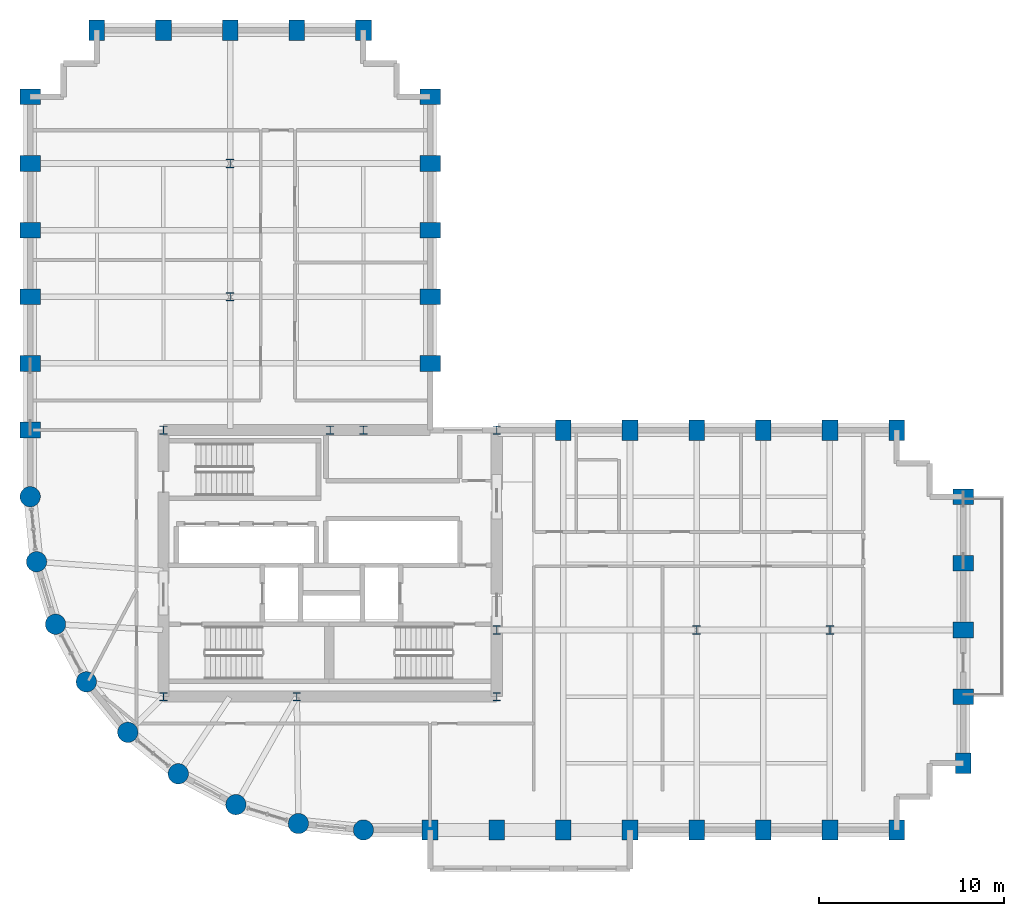
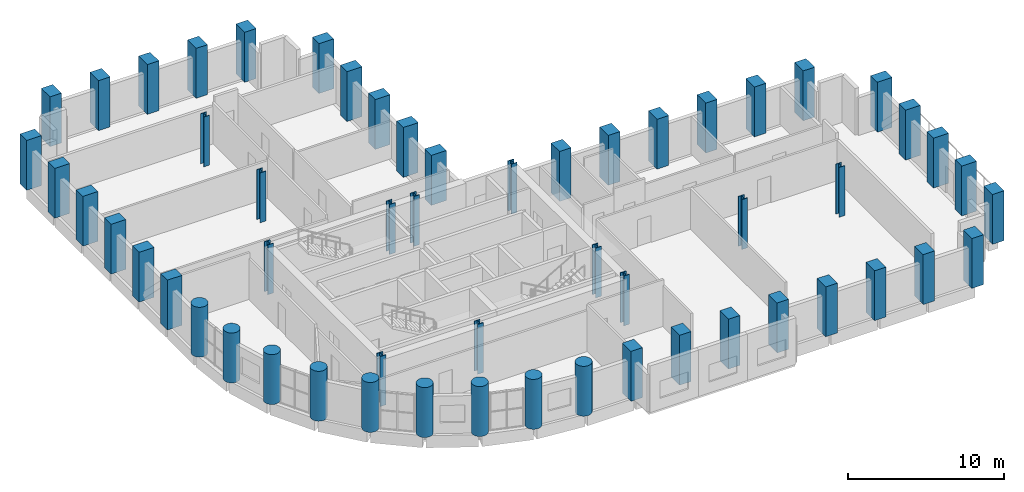
# One storey, part 1 of 11: 56 columns.
"""IFC4 building model written with IfcOpenShell, lengths in metres."""

import ifcopenshell
import ifcopenshell.guid

model = None  # the IFC model being written
_history = None  # IfcOwnerHistory: only IFC2X3 demands one
_inside = {}  # id of a spatial element -> (the spatial element, [elements in it])
_under = {}  # id of a project, library or spatial element -> (it, [spatial elements below it])
_declared = {}  # id of a project -> (the project, [libraries it declares])
_typed = {}  # id of a type object -> (the type object, [elements of that type])
_made_of = {}  # id of a material, layer set ... -> (it, [elements and type objects made of it])


def new_model(schema):
    """Start an empty IFC model of exactly this schema.

    Asked for "IFC4X3", IfcOpenShell would pick the latest addendum, in which some entities
    have other attributes; the version numbers below select the first issue.
    IFC2X3 requires an IfcOwnerHistory on every rooted entity: one is made here for all.
    """
    global model, _history
    if schema == "IFC4X3":
        model = ifcopenshell.file(schema_version=(4, 3, 0, 0))
    else:
        model = ifcopenshell.file(schema=schema)
    _inside.clear()
    _under.clear()
    _declared.clear()
    _typed.clear()
    _made_of.clear()
    _history = None
    if model.schema == "IFC2X3":
        org = make("IfcOrganization", Name="unknown")
        user = make(
            "IfcPersonAndOrganization",
            ThePerson=make("IfcPerson", FamilyName="unknown"),
            TheOrganization=org,
        )
        app = make(
            "IfcApplication",
            ApplicationDeveloper=org,
            Version="unknown",
            ApplicationFullName="unknown",
            ApplicationIdentifier="unknown",
        )
        _history = make(
            "IfcOwnerHistory",
            OwningUser=user,
            OwningApplication=app,
            ChangeAction="ADDED",
            CreationDate=0,
        )
    return model


def make(cls, **values):
    """One entity of the class cls with the attributes given. An attribute that is None is left unset."""
    return model.create_entity(
        cls, **{name: value for name, value in values.items() if value is not None}
    )


def rooted(cls, **values):
    """An entity with a GlobalId (a new one), such as an element, a storey or a relation."""
    return make(cls, GlobalId=ifcopenshell.guid.new(), OwnerHistory=_history, **values)


def si_unit(unit_type, name, prefix=None):
    """IfcSIUnit, for example si_unit("LENGTHUNIT", "METRE", prefix="MILLI")."""
    return make("IfcSIUnit", UnitType=unit_type, Prefix=prefix, Name=name)


def assignment(units):
    """IfcUnitAssignment: the units of a project."""
    return None if units is None else make("IfcUnitAssignment", Units=units)


def point(xyz):
    """IfcCartesianPoint."""
    return None if xyz is None else make("IfcCartesianPoint", Coordinates=xyz)


def direction(xyz):
    """IfcDirection."""
    return None if xyz is None else make("IfcDirection", DirectionRatios=xyz)


def frame(location, z_axis=None, x_axis=None):
    """IfcAxis2Placement3D, a coordinate frame: its origin and axes. An axis left out is left unset."""
    return make(
        "IfcAxis2Placement3D",
        Location=point(location),
        Axis=direction(z_axis),
        RefDirection=direction(x_axis),
    )


def frame_2d(location, x_axis=None):
    """IfcAxis2Placement2D, a coordinate frame in the plane: its origin and x axis."""
    return make(
        "IfcAxis2Placement2D", Location=point(location), RefDirection=direction(x_axis)
    )


def origin():
    """The frame at (0, 0, 0) with its axes left unset."""
    return frame((0.0, 0.0, 0.0))


def origin_2d():
    """The frame at (0, 0) in the plane with its x axis left unset."""
    return frame_2d((0.0, 0.0))


def place(relative_to, where):
    """IfcLocalPlacement: puts the frame where relative to a parent placement (None: the world)."""
    return make(
        "IfcLocalPlacement", PlacementRelTo=relative_to, RelativePlacement=where
    )


def context(
    kind, dimensions, precision=None, world=None, true_north=None, identifier=None
):
    """IfcGeometricRepresentationContext, for example the 3D "Model" context."""
    return make(
        "IfcGeometricRepresentationContext",
        ContextIdentifier=identifier,
        ContextType=kind,
        CoordinateSpaceDimension=dimensions,
        Precision=precision,
        WorldCoordinateSystem=world,
        TrueNorth=true_north,
    )


def subcontext(parent, identifier, kind, view, scale=None):
    """IfcGeometricRepresentationSubContext, for example "Body" below "Model"."""
    return make(
        "IfcGeometricRepresentationSubContext",
        ContextIdentifier=identifier,
        ContextType=kind,
        ParentContext=parent,
        TargetScale=scale,
        TargetView=view,
    )


def project(units=None, contexts=None):
    """IfcProject with its units and contexts."""
    return rooted(
        "IfcProject",
        Name="project",
        RepresentationContexts=contexts,
        UnitsInContext=assignment(units),
    )


def spatial(cls, under=None, at=None, **own):
    """A site, building, storey or space (cls), placed at a placement, below another one or the project."""
    s = rooted(cls, ObjectPlacement=at, **own)
    if under is not None:
        _under.setdefault(under.id(), (under, []))[1].append(s)
    return s


def profile(cls, at=None, kind="AREA", **sizes):
    """A parametric profile (cls). Its sizes go by their IFC names, for example OverallWidth=200.0."""
    return make(cls, ProfileType=kind, Position=at, **sizes)


def rectangle(**sizes):
    """IfcRectangleProfileDef."""
    return profile("IfcRectangleProfileDef", **sizes)


def circle(**sizes):
    """IfcCircleProfileDef."""
    return profile("IfcCircleProfileDef", **sizes)


def i_section(**sizes):
    """IfcIShapeProfileDef."""
    return profile("IfcIShapeProfileDef", **sizes)


def extrude(swept, where, along, depth):
    """IfcExtrudedAreaSolid: the profile swept, set in the frame where, extruded along a direction by depth."""
    return make(
        "IfcExtrudedAreaSolid",
        SweptArea=swept,
        Position=where,
        ExtrudedDirection=direction(along),
        Depth=depth,
    )


def shape(context_of_items, identifier, shape_type, items):
    """IfcShapeRepresentation: the items that make up one representation, for example the "Body"."""
    return make(
        "IfcShapeRepresentation",
        ContextOfItems=context_of_items,
        RepresentationIdentifier=identifier,
        RepresentationType=shape_type,
        Items=items,
    )


def material(Name=None, Category=None):
    """IfcMaterial."""
    return make("IfcMaterial", Name=Name, Category=Category)


def material_profile(
    of_material, cross_section, Name=None, Category=None, Priority=None
):
    """IfcMaterialProfile: a cross section and its material."""
    return make(
        "IfcMaterialProfile",
        Name=Name,
        Material=of_material,
        Profile=cross_section,
        Priority=Priority,
        Category=Category,
    )


def profile_set(profiles, Name=None, composite=None):
    """IfcMaterialProfileSet."""
    return make(
        "IfcMaterialProfileSet",
        Name=Name,
        MaterialProfiles=profiles,
        CompositeProfile=composite,
    )


def made_of(thing, what):
    """Note that an element or type object is made of a material, layer set ...; save() writes the relation."""
    if what is not None:
        _made_of.setdefault(what.id(), (what, []))[1].append(thing)
    return thing


def type_object(cls, material=None, **own):
    """A type object (cls), such as IfcWallType, which elements share."""
    return made_of(rooted(cls, **own), material)


def element(
    cls,
    number,
    at=None,
    inside=None,
    cuts=None,
    type_object=None,
    material=None,
    context=None,
    identifier="Body",
    shape_type=None,
    held_by="IfcProductDefinitionShape",
    body=None,
    shapes=None,
    **own,
):
    """One element of the class cls, such as IfcWall. Its Tag is "e" and its number.

    at: its placement. inside: the storey or other place that contains it. cuts: it is an
    opening in that element (IfcRelVoidsElement). A single representation is given by context,
    identifier, shape_type and body (its items); several are given by shapes. held_by: the class
    of the entity that holds the representations. save() writes the other relations.
    """
    e = rooted(cls, Tag="e%d" % number, ObjectPlacement=at, **own)
    if body is not None:
        shapes = [shape(context, identifier, shape_type, body)]
    if shapes is not None:
        e.Representation = make(held_by, Representations=shapes)
    if inside is not None:
        _inside.setdefault(inside.id(), (inside, []))[1].append(e)
    if cuts is not None:
        rooted(
            "IfcRelVoidsElement", RelatingBuildingElement=cuts, RelatedOpeningElement=e
        )
    if type_object is not None:
        _typed.setdefault(type_object.id(), (type_object, []))[1].append(e)
    return made_of(e, material)


def aggregate(whole, parts):
    """IfcRelAggregates: a whole, such as a stair, and the parts it consists of."""
    return rooted("IfcRelAggregates", RelatingObject=whole, RelatedObjects=parts)


def save(model, path):
    """Write the relations noted so far, then the file.

    IfcRelAggregates (storeys below a building ...), IfcRelContainedInSpatialStructure (elements
    in a storey), IfcRelDefinesByType, IfcRelAssociatesMaterial and IfcRelDeclares: one each for
    every whole, place, type object, material and project.
    """
    for whole, parts in _under.values():
        aggregate(whole, parts)
    for where, things in _inside.values():
        rooted(
            "IfcRelContainedInSpatialStructure",
            RelatedElements=things,
            RelatingStructure=where,
        )
    for kind, things in _typed.values():
        rooted("IfcRelDefinesByType", RelatedObjects=things, RelatingType=kind)
    for what, things in _made_of.values():
        rooted("IfcRelAssociatesMaterial", RelatedObjects=things, RelatingMaterial=what)
    for by, libraries in _declared.values():
        rooted("IfcRelDeclares", RelatingContext=by, RelatedDefinitions=libraries)
    model.write(path)


model = new_model("IFC4")

# Units and contexts
model_context = context("Model", 3, precision=1e-05, world=origin(), true_north=direction((0.0, 1.0)))
body_context = subcontext(model_context, "Body", "Model", "MODEL_VIEW")
ifc_project = project(units=[si_unit("LENGTHUNIT", "METRE"), si_unit("AREAUNIT", "SQUARE_METRE"), si_unit("VOLUMEUNIT", "CUBIC_METRE"), si_unit("PLANEANGLEUNIT", "RADIAN"), si_unit("MASSUNIT", "GRAM", prefix="KILO")], contexts=[model_context])

# Site, building, storey
site_placement = place(None, origin())
site = spatial("IfcSite", under=ifc_project, at=site_placement, CompositionType="ELEMENT")
building_placement = place(site_placement, origin())
building = spatial("IfcBuilding", under=site, at=building_placement, Name="Solnavia Interchange Tower", CompositionType="ELEMENT")
storey_placement = place(building_placement, frame((0.0, 0.0, 99.60009765625)))
storey = spatial("IfcBuildingStorey", under=building, at=storey_placement, Name="L24", CompositionType="ELEMENT", Elevation=99.60009765625)

# Columns
ifc_material_1 = material(Name="Concrete C50/60", Category="concrete")
ifc_material_profile_1 = material_profile(ifc_material_1, rectangle(XDim=0.85009765625, YDim=1.10009765625, at=origin_2d()), Name="RC 1100x850")
ifc_profile_set_1 = profile_set([ifc_material_profile_1], Name="Concrete C50/60")
column_type_1 = type_object("IfcColumnType", Name="Col-RC-1100x850", PredefinedType="COLUMN", material=ifc_profile_set_1)
for number, where, z_axis, x_axis, name in (
    (1, (7.199951171875, 25.199951171875, 0.0), (0.0, 0.0, 1.0), (0.0, 1.0, 0.0), "COL-L24-02 Tower perim y column"),
    (2, (7.199951171875, 28.800048828125, 0.0), (0.0, 0.0, 1.0), (0.0, 1.0, 0.0), "COL-L24-03 Tower perim y column"),
    (3, (7.199951171875, 32.39990234375, 0.0), (0.0, 0.0, 1.0), (0.0, 1.0, 0.0), "COL-L24-04 Tower perim y column"),
    (4, (7.199951171875, 36.0, 0.0), (0.0, 0.0, 1.0), (0.0, 1.0, 0.0), "COL-L24-05 Tower perim y column"),
    (5, (7.199951171875, 39.60009765625, 0.0), (0.0, 0.0, 1.0), (0.0, 1.0, 0.0), "COL-L24-06 Tower perim y column"),
    (6, (7.199951171875, 43.199951171875, 0.0), (0.0, 0.0, 1.0), (0.0, 1.0, 0.0), "COL-L24-07 Tower corner column"),
    (7, (10.800048828125, 46.800048828125, 0.0), (0.0, 0.0, 1.0), (1.0, 0.0, 0.0), "COL-L24-11 Tower corner column"),
    (8, (14.39990234375, 46.800048828125, 0.0), (0.0, 0.0, 1.0), (1.0, 0.0, 0.0), "COL-L24-15 Tower perim x column"),
    (9, (18.0, 46.800048828125, 0.0), (0.0, 0.0, 1.0), (1.0, 0.0, 0.0), "COL-L24-19 Tower perim x column"),
    (10, (21.60009765625, 46.800048828125, 0.0), (0.0, 0.0, 1.0), (1.0, 0.0, 0.0), "COL-L24-22 Tower perim x column"),
    (11, (25.199951171875, 46.800048828125, 0.0), (0.0, 0.0, 1.0), (1.0, 0.0, 0.0), "COL-L24-27 Tower corner column"),
    (12, (28.800048828125, 3.60009765625, 0.0), (0.0, 0.0, 1.0), (1.0, 0.0, 0.0), "COL-L24-28 Tower perim x column"),
    (13, (28.800048828125, 28.800048828125, 0.0), (0.0, 0.0, 1.0), (0.0, 1.0, 0.0), "COL-L24-29 Tower perim y column"),
    (14, (28.800048828125, 32.39990234375, 0.0), (0.0, 0.0, 1.0), (0.0, 1.0, 0.0), "COL-L24-30 Tower perim y column"),
    (15, (28.800048828125, 36.0, 0.0), (0.0, 0.0, 1.0), (0.0, 1.0, 0.0), "COL-L24-31 Tower perim y column"),
    (16, (28.800048828125, 39.60009765625, 0.0), (0.0, 0.0, 1.0), (0.0, 1.0, 0.0), "COL-L24-32 Tower perim y column"),
    (17, (28.800048828125, 43.199951171875, 0.0), (0.0, 0.0, 1.0), (0.0, 1.0, 0.0), "COL-L24-33 Tower corner column"),
    (18, (32.39990234375, 3.60009765625, 0.0), (0.0, 0.0, 1.0), (1.0, 0.0, 0.0), "COL-L24-34 Tower perim x column"),
    (19, (36.0, 3.60009765625, 0.0), (0.0, 0.0, 1.0), (1.0, 0.0, 0.0), "COL-L24-38 Tower perim x column"),
    (20, (36.0, 25.199951171875, 0.0), (0.0, 0.0, 1.0), (1.0, 0.0, 0.0), "COL-L24-39 Tower perim x column"),
    (21, (39.60009765625, 3.60009765625, 0.0), (0.0, 0.0, 1.0), (1.0, 0.0, 0.0), "COL-L24-40 Tower perim x column"),
    (22, (39.60009765625, 25.199951171875, 0.0), (0.0, 0.0, 1.0), (1.0, 0.0, 0.0), "COL-L24-41 Tower perim x column"),
    (23, (43.199951171875, 3.60009765625, 0.0), (0.0, 0.0, 1.0), (1.0, 0.0, 0.0), "COL-L24-42 Tower perim x column"),
    (24, (43.199951171875, 25.199951171875, 0.0), (0.0, 0.0, 1.0), (1.0, 0.0, 0.0), "COL-L24-44 Tower perim x column"),
    (25, (46.800048828125, 3.60009765625, 0.0), (0.0, 0.0, 1.0), (1.0, 0.0, 0.0), "COL-L24-45 Tower perim x column"),
    (26, (46.800048828125, 25.199951171875, 0.0), (0.0, 0.0, 1.0), (1.0, 0.0, 0.0), "COL-L24-46 Tower perim x column"),
    (27, (50.39990234375, 3.60009765625, 0.0), (0.0, 0.0, 1.0), (1.0, 0.0, 0.0), "COL-L24-47 Tower perim x column"),
    (28, (50.39990234375, 25.199951171875, 0.0), (0.0, 0.0, 1.0), (1.0, 0.0, 0.0), "COL-L24-49 Tower perim x column"),
    (29, (54.0, 3.60009765625, 0.0), (0.0, 0.0, 1.0), (1.0, 0.0, 0.0), "COL-L24-50 Tower corner column"),
    (30, (54.0, 25.199951171875, 0.0), (0.0, 0.0, 1.0), (1.0, 0.0, 0.0), "COL-L24-51 Tower corner column"),
    (31, (57.60009765625, 7.199951171875, 0.0), (0.0, 0.0, 1.0), (1.0, 0.0, 0.0), "COL-L24-52 Tower corner column"),
    (32, (57.60009765625, 10.800048828125, 0.0), (0.0, 0.0, 1.0), (0.0, 1.0, 0.0), "COL-L24-53 Tower perim y column"),
    (33, (57.60009765625, 14.39990234375, 0.0), (0.0, 0.0, 1.0), (0.0, 1.0, 0.0), "COL-L24-54 Tower perim y column"),
    (34, (57.60009765625, 18.0, 0.0), (0.0, 0.0, 1.0), (0.0, 1.0, 0.0), "COL-L24-55 Tower perim y column"),
    (35, (57.60009765625, 21.60009765625, 0.0), (0.0, 0.0, 1.0), (0.0, 1.0, 0.0), "COL-L24-56 Tower corner column"),
):
    element("IfcColumn", number, at=place(storey_placement, frame(where, z_axis=z_axis, x_axis=x_axis)), inside=storey, type_object=column_type_1, Name=name, PredefinedType="COLUMN", context=body_context, shape_type="SweptSolid", body=[
        extrude(rectangle(XDim=0.85009765625, YDim=1.10009765625, at=origin_2d()), origin(), (0.0, 0.0, 1.0), 3.89990234375),
    ])
ifc_material_2 = material(Name="Concrete C60/75", Category="concrete")
ifc_material_profile_2 = material_profile(ifc_material_2, circle(Radius=0.550048828125, at=origin_2d()), Name="RC D1100")
ifc_profile_set_2 = profile_set([ifc_material_profile_2], Name="Concrete C60/75")
column_type_2 = type_object("IfcColumnType", Name="Col-RC-D1100", PredefinedType="COLUMN", material=ifc_profile_set_2)
for number, where, z_axis, x_axis, name in (
    (36, (7.199951171875, 21.60009765625, 0.0), (0.0, 0.0, 1.0), (1.0, 0.0, 0.0), "COL-L24-01 Tower drum column"),
    (37, (7.5458984375, 18.087890625, 0.0), (0.0, 0.0, 1.0), (1.0, 0.0, 0.0), "COL-L24-08 Tower drum column"),
    (38, (8.570068359375, 14.7119140625, 0.0), (0.0, 0.0, 1.0), (1.0, 0.0, 0.0), "COL-L24-09 Tower drum column"),
    (39, (10.23388671875, 11.60009765625, 0.0), (0.0, 0.0, 1.0), (1.0, 0.0, 0.0), "COL-L24-10 Tower drum column"),
    (40, (12.471923828125, 8.8720703125, 0.0), (0.0, 0.0, 1.0), (1.0, 0.0, 0.0), "COL-L24-12 Tower drum column"),
    (41, (15.199951171875, 6.634033203125, 0.0), (0.0, 0.0, 1.0), (1.0, 0.0, 0.0), "COL-L24-16 Tower drum column"),
    (42, (18.31201171875, 4.969970703125, 0.0), (0.0, 0.0, 1.0), (1.0, 0.0, 0.0), "COL-L24-20 Tower drum column"),
    (43, (21.68798828125, 3.946044921875, 0.0), (0.0, 0.0, 1.0), (1.0, 0.0, 0.0), "COL-L24-23 Tower drum column"),
    (44, (25.199951171875, 3.60009765625, 0.0), (0.0, 0.0, 1.0), (1.0, 0.0, 0.0), "COL-L24-25 Tower drum column"),
):
    element("IfcColumn", number, at=place(storey_placement, frame(where, z_axis=z_axis, x_axis=x_axis)), inside=storey, type_object=column_type_2, Name=name, PredefinedType="COLUMN", context=body_context, shape_type="SweptSolid", body=[
        extrude(circle(Radius=0.550048828125, at=origin_2d()), origin(), (0.0, 0.0, 1.0), 3.89990234375),
    ])
ifc_material_3 = material(Name="Steel S355", Category="steel")
ifc_material_profile_3 = material_profile(ifc_material_3, i_section(OverallWidth=0.424072265625, OverallDepth=0.467041015625, WebThickness=0.032958984375, FlangeThickness=0.053466796875, FilletRadius=0.014892578125, at=origin_2d()), Name="HD 400x509")
ifc_profile_set_3 = profile_set([ifc_material_profile_3], Name="Steel S355")
column_type_3 = type_object("IfcColumnType", Name="Col-Steel-HD400x509", PredefinedType="COLUMN", material=ifc_profile_set_3)
for number, where, z_axis, x_axis, name in (
    (45, (14.39990234375, 10.800048828125, 0.0), (0.0, 0.0, 1.0), (1.0, 0.0, 0.0), "COL-L24-13 Tower interior column"),
    (46, (14.39990234375, 25.199951171875, 0.0), (0.0, 0.0, 1.0), (1.0, 0.0, 0.0), "COL-L24-14 Tower interior column"),
    (47, (18.0, 32.39990234375, 0.0), (0.0, 0.0, 1.0), (1.0, 0.0, 0.0), "COL-L24-17 Tower interior column"),
    (48, (18.0, 39.60009765625, 0.0), (0.0, 0.0, 1.0), (1.0, 0.0, 0.0), "COL-L24-18 Tower interior column"),
    (49, (21.60009765625, 10.800048828125, 0.0), (0.0, 0.0, 1.0), (1.0, 0.0, 0.0), "COL-L24-21 Tower interior column"),
    (50, (23.39990234375, 25.199951171875, 0.0), (0.0, 0.0, 1.0), (1.0, 0.0, 0.0), "COL-L24-24 Tower interior column"),
    (51, (25.199951171875, 25.199951171875, 0.0), (0.0, 0.0, 1.0), (1.0, 0.0, 0.0), "COL-L24-26 Tower interior column"),
    (52, (32.39990234375, 10.800048828125, 0.0), (0.0, 0.0, 1.0), (1.0, 0.0, 0.0), "COL-L24-35 Tower interior column"),
    (53, (32.39990234375, 14.39990234375, 0.0), (0.0, 0.0, 1.0), (1.0, 0.0, 0.0), "COL-L24-36 Tower interior column"),
    (54, (32.39990234375, 25.199951171875, 0.0), (0.0, 0.0, 1.0), (1.0, 0.0, 0.0), "COL-L24-37 Tower interior column"),
    (55, (43.199951171875, 14.39990234375, 0.0), (0.0, 0.0, 1.0), (1.0, 0.0, 0.0), "COL-L24-43 Tower interior column"),
    (56, (50.39990234375, 14.39990234375, 0.0), (0.0, 0.0, 1.0), (1.0, 0.0, 0.0), "COL-L24-48 Tower interior column"),
):
    element("IfcColumn", number, at=place(storey_placement, frame(where, z_axis=z_axis, x_axis=x_axis)), inside=storey, type_object=column_type_3, Name=name, PredefinedType="COLUMN", context=body_context, shape_type="SweptSolid", body=[
        extrude(i_section(OverallWidth=0.424072265625, OverallDepth=0.467041015625, WebThickness=0.032958984375, FlangeThickness=0.053466796875, FilletRadius=0.014892578125, at=origin_2d()), origin(), (0.0, 0.0, 1.0), 3.89990234375),
    ])

save(model, "model.ifc")
